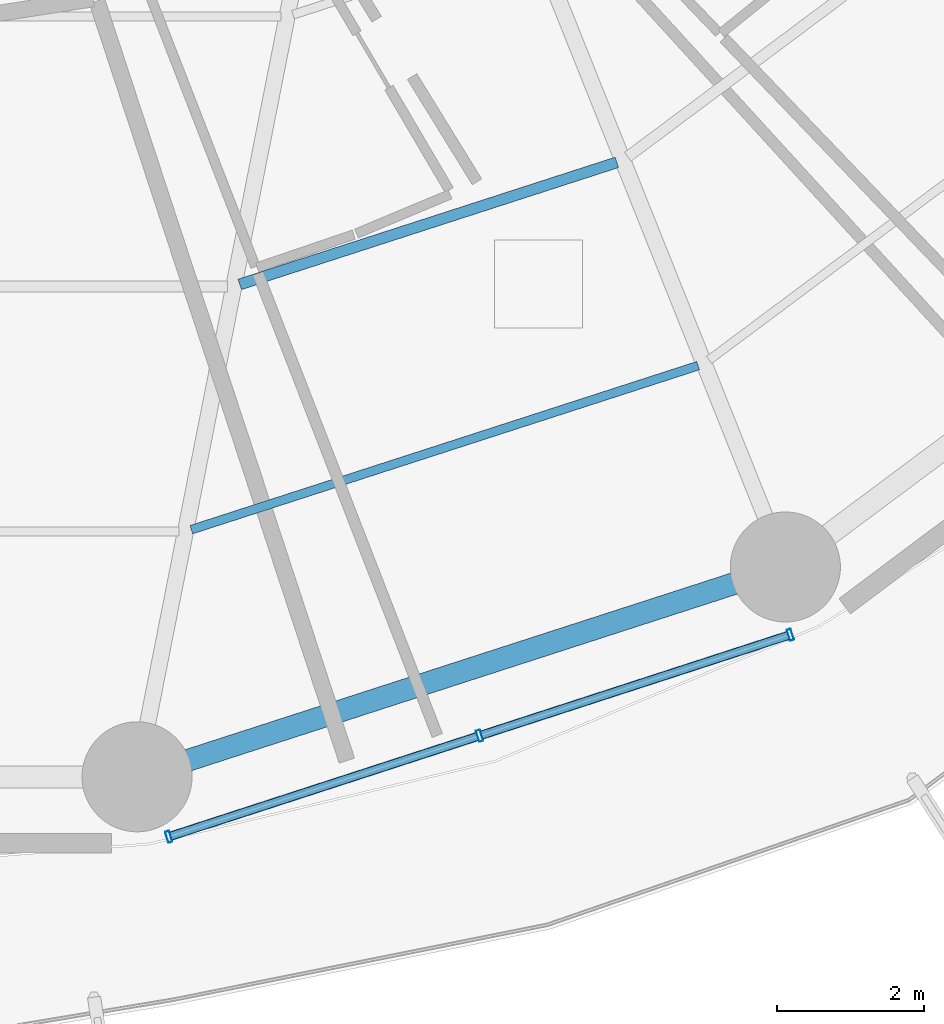
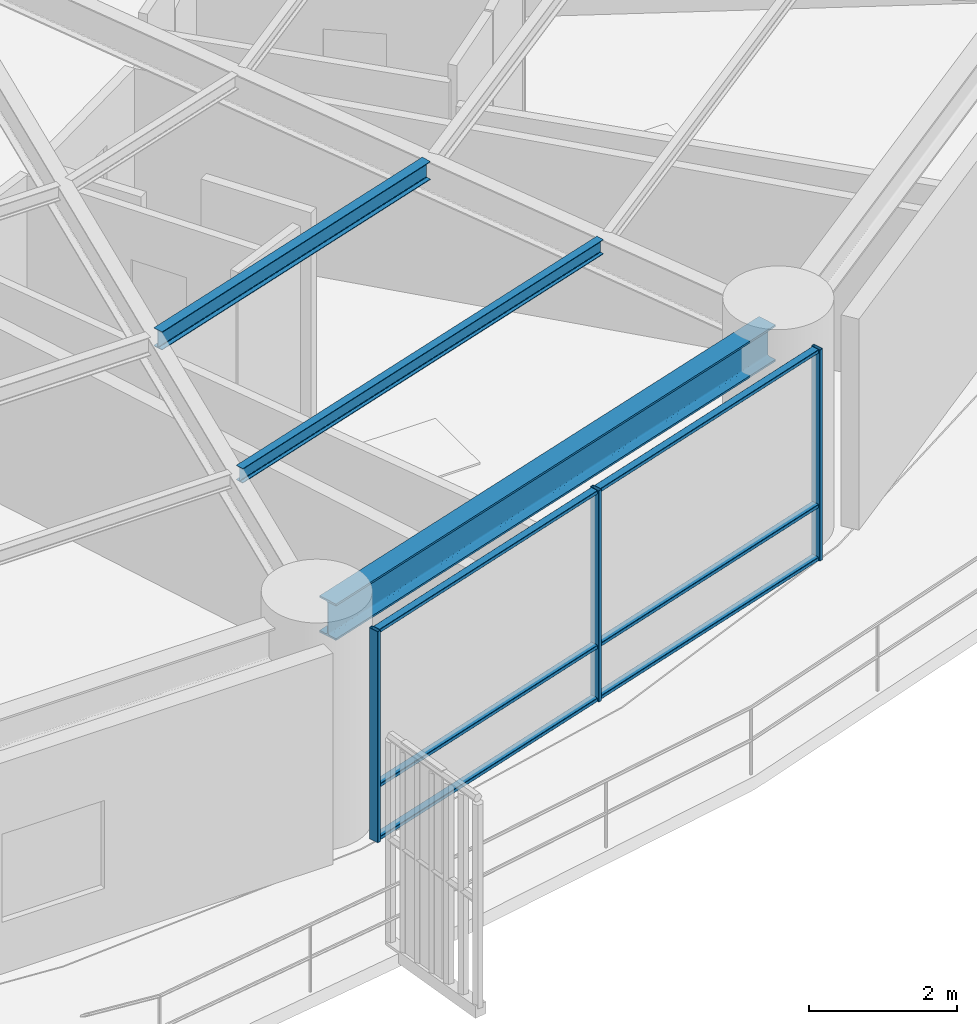
# One storey, part 8 of 33: 9 members, 3 beams, 1 element without a shape of its own.
"""IFC4 building model written with IfcOpenShell, lengths in metres."""

from ifc_helpers import new_model, si_unit, direction, frame, origin, origin_2d, place, context, subcontext, project, spatial, hollow_rectangle, i_section, extrude, material, layer, layer_set, material_profile, profile_set, type_object, element, aggregate, save


model = new_model("IFC4")

# Units and contexts
model_context = context("Model", 3, precision=1e-05, world=origin(), true_north=direction((0.0, 1.0)))
body_context = subcontext(model_context, "Body", "Model", "MODEL_VIEW")
ifc_project = project(units=[si_unit("LENGTHUNIT", "METRE"), si_unit("AREAUNIT", "SQUARE_METRE"), si_unit("VOLUMEUNIT", "CUBIC_METRE"), si_unit("PLANEANGLEUNIT", "RADIAN"), si_unit("MASSUNIT", "GRAM", prefix="KILO")], contexts=[model_context])

# Site, building, storey
site_placement = place(None, origin())
site = spatial("IfcSite", under=ifc_project, at=site_placement, CompositionType="ELEMENT")
building_placement = place(site_placement, origin())
building = spatial("IfcBuilding", under=site, at=building_placement, Name="Kelanora Arch Commons", CompositionType="ELEMENT")
storey_placement = place(building_placement, frame((0.0, 0.0, 37.5)))
storey = spatial("IfcBuildingStorey", under=building, at=storey_placement, Name="L09", CompositionType="ELEMENT", Elevation=37.5)

# Beams
ifc_material_1 = material(Name="Steel S355", Category="steel")
ifc_material_profile_1 = material_profile(ifc_material_1, i_section(OverallWidth=0.14990234375, OverallDepth=0.300048828125, WebThickness=0.007080078125, FlangeThickness=0.0107421875, FilletRadius=0.014892578125, at=origin_2d()), Name="IPE300")
ifc_profile_set_1 = profile_set([ifc_material_profile_1], Name="Steel S355")
beam_type_1 = type_object("IfcBeamType", Name="BM-JST-01", PredefinedType="JOIST", material=ifc_profile_set_1)
beam_1_placement = place(storey_placement, frame((80.102294921875, 40.997802734375, 3.340087890625), z_axis=(0.951412209627, 0.307920131482, 0.0), x_axis=(-0.307920131482, 0.951412209627, 0.0)))
element("IfcBeam", 1, at=beam_1_placement, inside=storey, type_object=beam_type_1, Name="Secondary Chord Joist BJB-28 L09", PredefinedType="JOIST", context=body_context, shape_type="SweptSolid", body=[
    extrude(i_section(OverallWidth=0.14990234375, OverallDepth=0.300048828125, WebThickness=0.007080078125, FlangeThickness=0.0107421875, FilletRadius=0.014892578125, at=origin_2d()), origin(), (0.0, 0.0, 1.0), 5.4033203125),
])
ifc_material_profile_2 = material_profile(ifc_material_1, i_section(OverallWidth=0.1201171875, OverallDepth=0.239990234375, WebThickness=0.006103515625, FlangeThickness=0.009765625, FilletRadius=0.014892578125, at=origin_2d()), Name="IPE240")
ifc_profile_set_2 = profile_set([ifc_material_profile_2], Name="Steel S355")
beam_type_2 = type_object("IfcBeamType", Name="BM-JST-02", PredefinedType="JOIST", material=ifc_profile_set_2)
beam_2_placement = place(storey_placement, frame((79.44287109375, 37.65478515625, 3.3701171875), z_axis=(0.951410915705, 0.307924129418, 0.0), x_axis=(-0.307924129418, 0.951410915705, 0.0)))
element("IfcBeam", 2, at=beam_2_placement, inside=storey, type_object=beam_type_2, Name="Secondary Chord Joist BJC-28 L09", PredefinedType="JOIST", context=body_context, shape_type="SweptSolid", body=[
    extrude(i_section(OverallWidth=0.1201171875, OverallDepth=0.239990234375, WebThickness=0.006103515625, FlangeThickness=0.009765625, FilletRadius=0.014892578125, at=origin_2d()), origin(), (0.0, 0.0, 1.0), 7.260986328125),
])
ifc_material_profile_3 = material_profile(ifc_material_1, i_section(OverallWidth=0.300048828125, OverallDepth=0.60009765625, WebThickness=0.015380859375, FlangeThickness=0.030029296875, FilletRadius=0.027099609375, at=origin_2d()), Name="HEB600")
ifc_profile_set_3 = profile_set([ifc_material_profile_3], Name="Steel S355")
beam_type_3 = type_object("IfcBeamType", Name="BM-SPN-Z1", PredefinedType="SPANDREL", material=ifc_profile_set_3)
beam_3_placement = place(storey_placement, frame((78.91162109375, 34.353515625, 3.18994140625), z_axis=(0.951411479564, 0.307922387224, 0.0), x_axis=(-0.307922387224, 0.951411479564, 0.0)))
element("IfcBeam", 3, at=beam_3_placement, inside=storey, type_object=beam_type_3, Name="Perimeter Spandrel Beam BS-28 L09", PredefinedType="SPANDREL", context=body_context, shape_type="SweptSolid", body=[
    extrude(i_section(OverallWidth=0.300048828125, OverallDepth=0.60009765625, WebThickness=0.015380859375, FlangeThickness=0.030029296875, FilletRadius=0.027099609375, at=origin_2d()), origin(), (0.0, 0.0, 1.0), 8.84912109375),
])

# Curtain wall, members
ifc_material_2 = material(Name="Terracotta ceramic-fritted low-E glass and aluminium", Category="masonry")
ifc_layer = layer(ifc_material_2, 0.159912109375)
ifc_layer_set = layer_set([ifc_layer], Name="Terracotta ceramic-fritted low-E glass and aluminium")
curtain_wall_type = type_object("IfcCurtainWallType", Name="CW-SYS-01", PredefinedType="NOTDEFINED", material=ifc_layer_set)
curtain_wall_placement = place(storey_placement, origin())
curtain_wall = element("IfcCurtainWall", 4, at=curtain_wall_placement, inside=storey, type_object=curtain_wall_type, Name="Unitised Curtain Wall L09-B14", PredefinedType="NOTDEFINED")
ifc_material_3 = material(Name="Powder-coated aluminium terracotta", Category="masonry")
ifc_material_profile_4 = material_profile(ifc_material_3, hollow_rectangle(XDim=0.159912109375, YDim=0.06005859375, WallThickness=0.0048828125, InnerFilletRadius=0.0048828125, OuterFilletRadius=0.010009765625, at=origin_2d()), Name="CWM160x60")
ifc_profile_set_4 = profile_set([ifc_material_profile_4], Name="Powder-coated aluminium terracotta")
member_type_1 = type_object("IfcMemberType", Name="CWM-STD", PredefinedType="MULLION", material=ifc_profile_set_4)
member_1_placement = place(storey_placement, frame((79.134521484375, 33.46826171875, 0.0), z_axis=(0.0, 0.0, 1.0), x_axis=(-0.30905758454, 0.951043326793, 0.0)))
member_1 = element("IfcMember", 5, at=member_1_placement, type_object=member_type_1, Name="CW-01 mullion 1", PredefinedType="MULLION", context=body_context, shape_type="SweptSolid", body=[
    extrude(hollow_rectangle(XDim=0.159912109375, YDim=0.06005859375, WallThickness=0.0048828125, InnerFilletRadius=0.0048828125, OuterFilletRadius=0.010009765625, at=origin_2d()), origin(), (0.0, 0.0, 1.0), 3.47509765625),
])
member_2_placement = place(storey_placement, frame((83.37109375, 34.84521484375, 0.0), z_axis=(0.0, 0.0, 1.0), x_axis=(-0.30905758454, 0.951043326793, 0.0)))
member_2 = element("IfcMember", 6, at=member_2_placement, type_object=member_type_1, Name="CW-01 mullion 2", PredefinedType="MULLION", context=body_context, shape_type="SweptSolid", body=[
    extrude(hollow_rectangle(XDim=0.159912109375, YDim=0.06005859375, WallThickness=0.0048828125, InnerFilletRadius=0.0048828125, OuterFilletRadius=0.010009765625, at=origin_2d()), origin(), (0.0, 0.0, 1.0), 3.47509765625),
])
member_3_placement = place(storey_placement, frame((87.607666015625, 36.221923828125, 0.0), z_axis=(0.0, 0.0, 1.0), x_axis=(-0.30905758454, 0.951043326793, 0.0)))
member_3 = element("IfcMember", 7, at=member_3_placement, type_object=member_type_1, Name="CW-01 mullion 3", PredefinedType="MULLION", context=body_context, shape_type="SweptSolid", body=[
    extrude(hollow_rectangle(XDim=0.159912109375, YDim=0.06005859375, WallThickness=0.0048828125, InnerFilletRadius=0.0048828125, OuterFilletRadius=0.010009765625, at=origin_2d()), origin(), (0.0, 0.0, 1.0), 3.47509765625),
])
ifc_material_profile_5 = material_profile(ifc_material_3, hollow_rectangle(XDim=0.1201171875, YDim=0.06005859375, WallThickness=0.0048828125, InnerFilletRadius=0.0048828125, OuterFilletRadius=0.010009765625, at=origin_2d()), Name="CWT120x60")
ifc_profile_set_5 = profile_set([ifc_material_profile_5], Name="Powder-coated aluminium terracotta")
member_type_2 = type_object("IfcMemberType", Name="CWT-STD", PredefinedType="USERDEFINED", material=ifc_profile_set_5)
member_4_placement = place(storey_placement, frame((79.1630859375, 33.4775390625, 0.030029296875), z_axis=(0.951028761285, 0.309102402464, 0.0), x_axis=(-0.309102402464, 0.951028761285, 0.0)))
member_4 = element("IfcMember", 8, at=member_4_placement, type_object=member_type_2, Name="CW-01 transom 1.1", ObjectType="TRANSOM", PredefinedType="USERDEFINED", context=body_context, shape_type="SweptSolid", body=[
    extrude(hollow_rectangle(XDim=0.1201171875, YDim=0.06005859375, WallThickness=0.0048828125, InnerFilletRadius=0.0048828125, OuterFilletRadius=0.010009765625, at=origin_2d()), origin(), (0.0, 0.0, 1.0), 4.394775390625),
])
member_5_placement = place(storey_placement, frame((79.1630859375, 33.4775390625, 0.89990234375), z_axis=(0.951028761285, 0.309102402464, 0.0), x_axis=(-0.309102402464, 0.951028761285, 0.0)))
member_5 = element("IfcMember", 9, at=member_5_placement, type_object=member_type_2, Name="CW-01 transom 1.2", ObjectType="TRANSOM", PredefinedType="USERDEFINED", context=body_context, shape_type="SweptSolid", body=[
    extrude(hollow_rectangle(XDim=0.1201171875, YDim=0.06005859375, WallThickness=0.0048828125, InnerFilletRadius=0.0048828125, OuterFilletRadius=0.010009765625, at=origin_2d()), origin(), (0.0, 0.0, 1.0), 4.394775390625),
])
member_6_placement = place(storey_placement, frame((79.1630859375, 33.4775390625, 3.445068359375), z_axis=(0.951028761285, 0.309102402464, 0.0), x_axis=(-0.309102402464, 0.951028761285, 0.0)))
member_6 = element("IfcMember", 10, at=member_6_placement, type_object=member_type_2, Name="CW-01 transom 1.3", ObjectType="TRANSOM", PredefinedType="USERDEFINED", context=body_context, shape_type="SweptSolid", body=[
    extrude(hollow_rectangle(XDim=0.1201171875, YDim=0.06005859375, WallThickness=0.0048828125, InnerFilletRadius=0.0048828125, OuterFilletRadius=0.010009765625, at=origin_2d()), origin(), (0.0, 0.0, 1.0), 4.394775390625),
])
member_7_placement = place(storey_placement, frame((83.399658203125, 34.8544921875, 0.030029296875), z_axis=(0.951045091182, 0.309052155047, 0.0), x_axis=(-0.309052155047, 0.951045091182, 0.0)))
member_7 = element("IfcMember", 11, at=member_7_placement, type_object=member_type_2, Name="CW-01 transom 2.1", ObjectType="TRANSOM", PredefinedType="USERDEFINED", context=body_context, shape_type="SweptSolid", body=[
    extrude(hollow_rectangle(XDim=0.1201171875, YDim=0.06005859375, WallThickness=0.0048828125, InnerFilletRadius=0.0048828125, OuterFilletRadius=0.010009765625, at=origin_2d()), origin(), (0.0, 0.0, 1.0), 4.39453125),
])
member_8_placement = place(storey_placement, frame((83.399658203125, 34.8544921875, 0.89990234375), z_axis=(0.951045091182, 0.309052155047, 0.0), x_axis=(-0.309052155047, 0.951045091182, 0.0)))
member_8 = element("IfcMember", 12, at=member_8_placement, type_object=member_type_2, Name="CW-01 transom 2.2", ObjectType="TRANSOM", PredefinedType="USERDEFINED", context=body_context, shape_type="SweptSolid", body=[
    extrude(hollow_rectangle(XDim=0.1201171875, YDim=0.06005859375, WallThickness=0.0048828125, InnerFilletRadius=0.0048828125, OuterFilletRadius=0.010009765625, at=origin_2d()), origin(), (0.0, 0.0, 1.0), 4.39453125),
])
member_9_placement = place(storey_placement, frame((83.399658203125, 34.8544921875, 3.445068359375), z_axis=(0.951045091182, 0.309052155047, 0.0), x_axis=(-0.309052155047, 0.951045091182, 0.0)))
member_9 = element("IfcMember", 13, at=member_9_placement, type_object=member_type_2, Name="CW-01 transom 2.3", ObjectType="TRANSOM", PredefinedType="USERDEFINED", context=body_context, shape_type="SweptSolid", body=[
    extrude(hollow_rectangle(XDim=0.1201171875, YDim=0.06005859375, WallThickness=0.0048828125, InnerFilletRadius=0.0048828125, OuterFilletRadius=0.010009765625, at=origin_2d()), origin(), (0.0, 0.0, 1.0), 4.39453125),
])
aggregate(curtain_wall, [member_1, member_2, member_3, member_4, member_5, member_6, member_7, member_8, member_9])

save(model, "model.ifc")
